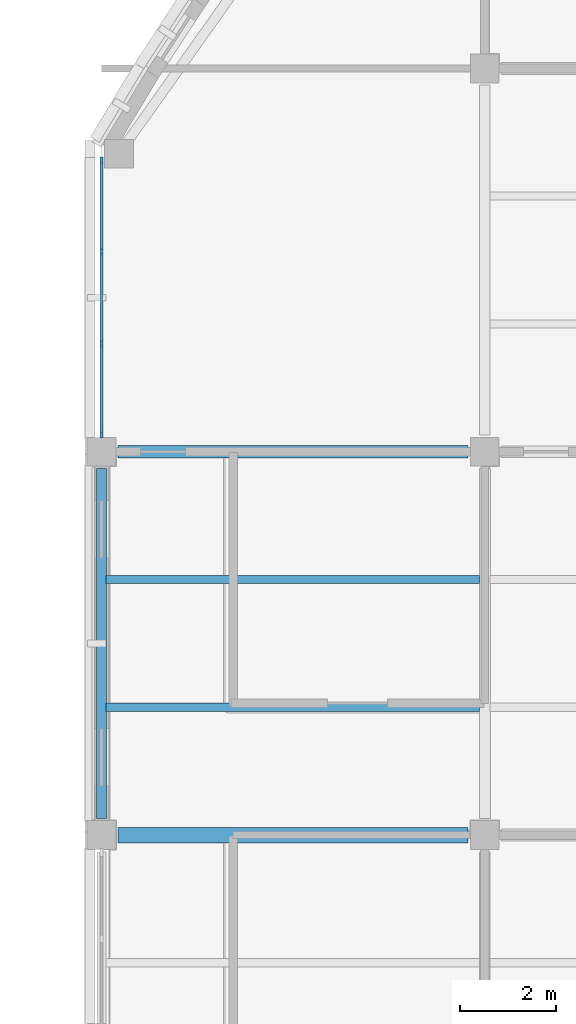
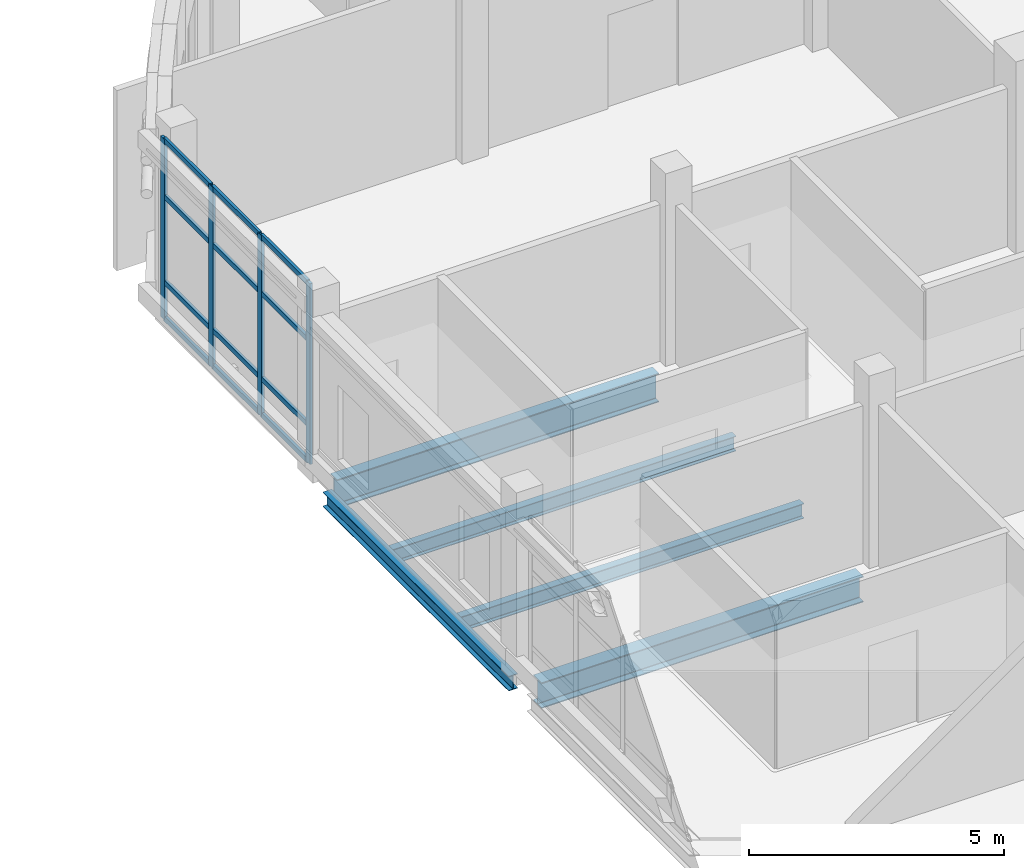
# One storey, part 33 of 121: 16 members, 5 beams, 1 element without a shape of its own.
"""IFC4 building model written with IfcOpenShell, lengths in metres."""

from ifc_helpers import new_model, si_unit, derived_unit, direction, frame, origin, origin_2d, place, context, subcontext, project, spatial, rectangle, i_section, extrude, material, layer, layer_set, material_profile, profile_set, type_object, element, aggregate, save


model = new_model("IFC4")

# Units and contexts
model_context = context("Model", 3, precision=1e-05, world=origin(), true_north=direction((0.0, 1.0)))
body_context = subcontext(model_context, "Body", "Model", "MODEL_VIEW")
ifc_project = project(units=[si_unit("LENGTHUNIT", "METRE"), si_unit("AREAUNIT", "SQUARE_METRE"), si_unit("VOLUMEUNIT", "CUBIC_METRE"), si_unit("PLANEANGLEUNIT", "RADIAN"), si_unit("MASSUNIT", "GRAM", prefix="KILO"), derived_unit("THERMALTRANSMITTANCEUNIT", [(si_unit("MASSUNIT", "GRAM", prefix="KILO"), 1), (si_unit("TIMEUNIT", "SECOND"), -3), (si_unit("THERMODYNAMICTEMPERATUREUNIT", "KELVIN"), -1)])], contexts=[model_context])

# Site, building, storey
site_placement = place(None, origin())
site = spatial("IfcSite", under=ifc_project, at=site_placement, CompositionType="ELEMENT")
building_placement = place(site_placement, origin())
building = spatial("IfcBuilding", under=site, at=building_placement, Name="Veyamyaing Civic Hall", CompositionType="ELEMENT")
storey_placement = place(building_placement, frame((0.0, 0.0, 5.280029296875)))
storey = spatial("IfcBuildingStorey", under=building, at=storey_placement, Name="L01", CompositionType="ELEMENT", Elevation=5.280029296875)

# Beams
ifc_material_1 = material(Name="Steel ASTM A992", Category="steel")
ifc_material_profile_1 = material_profile(ifc_material_1, i_section(OverallWidth=0.256103515625, OverallDepth=0.693115234375, WebThickness=0.014404296875, FlangeThickness=0.023681640625, FilletRadius=0.013916015625, at=origin_2d()), Name="W690X170")
ifc_profile_set_1 = profile_set([ifc_material_profile_1], Name="Steel ASTM A992")
beam_type_1 = type_object("IfcBeamType", Name="B-04", PredefinedType="BEAM", material=ifc_profile_set_1)
beam_1_placement = place(storey_placement, frame((56.35009765625, 72.0, -0.591552734375), z_axis=(1.0, 0.0, 0.0), x_axis=(0.0, 1.0, 0.0)))
element("IfcBeam", 1, at=beam_1_placement, inside=storey, type_object=beam_type_1, Name="Girder B-04 L01 Grid K 8-9", PredefinedType="BEAM", context=body_context, shape_type="SweptSolid", body=[
    extrude(i_section(OverallWidth=0.256103515625, OverallDepth=0.693115234375, WebThickness=0.014404296875, FlangeThickness=0.023681640625, FilletRadius=0.013916015625, at=origin_2d()), origin(), (0.0, 0.0, 1.0), 7.2998046875),
])
ifc_material_profile_2 = material_profile(ifc_material_1, i_section(OverallWidth=0.2041015625, OverallDepth=0.35009765625, WebThickness=0.0078125, FlangeThickness=0.01513671875, FilletRadius=0.010009765625, at=origin_2d()), Name="W360X72")
ifc_profile_set_2 = profile_set([ifc_material_profile_2], Name="Steel ASTM A992")
beam_type_2 = type_object("IfcBeamType", Name="B-11", PredefinedType="SPANDREL", material=ifc_profile_set_2)
beam_2_placement = place(storey_placement, frame((56.0, 64.35009765625, -0.419921875), z_axis=(0.0, 1.0, 0.0), x_axis=(-1.0, 0.0, 0.0)))
element("IfcBeam", 2, at=beam_2_placement, inside=storey, type_object=beam_type_2, Name="Girder B-11 L01 Grid 8 J-K", PredefinedType="SPANDREL", context=body_context, shape_type="SweptSolid", body=[
    extrude(i_section(OverallWidth=0.2041015625, OverallDepth=0.35009765625, WebThickness=0.0078125, FlangeThickness=0.01513671875, FilletRadius=0.010009765625, at=origin_2d()), origin(), (0.0, 0.0, 1.0), 7.2998046875),
])
ifc_material_profile_3 = material_profile(ifc_material_1, i_section(OverallWidth=0.324951171875, OverallDepth=0.615966796875, WebThickness=0.013916015625, FlangeThickness=0.021484375, FilletRadius=0.013916015625, at=origin_2d()), Name="W610X174")
ifc_profile_set_3 = profile_set([ifc_material_profile_3], Name="Steel ASTM A992")
beam_type_3 = type_object("IfcBeamType", Name="B-15", PredefinedType="BEAM", material=ifc_profile_set_3)
beam_3_placement = place(storey_placement, frame((56.35009765625, 64.0, -0.552978515625), z_axis=(1.0, 0.0, 0.0), x_axis=(0.0, 1.0, 0.0)))
element("IfcBeam", 3, at=beam_3_placement, inside=storey, type_object=beam_type_3, Name="Girder B-15 L01 Grid J 8-9", PredefinedType="BEAM", context=body_context, shape_type="SweptSolid", body=[
    extrude(i_section(OverallWidth=0.324951171875, OverallDepth=0.615966796875, WebThickness=0.013916015625, FlangeThickness=0.021484375, FilletRadius=0.013916015625, at=origin_2d()), origin(), (0.0, 0.0, 1.0), 7.2998046875),
])

# Curtain wall, members
ifc_material_2 = material(Name="Anodised aluminium 6063-T6", Category="aluminium")
ifc_layer = layer(ifc_material_2, 0.159912109375, Name="Anodised aluminium 6063-T6")
ifc_layer_set = layer_set([ifc_layer], Name="Anodised aluminium 6063-T6")
curtain_wall_type = type_object("IfcCurtainWallType", Name="CW-02", PredefinedType="NOTDEFINED", material=ifc_layer_set)
curtain_wall_placement = place(storey_placement, origin())
curtain_wall = element("IfcCurtainWall", 4, at=curtain_wall_placement, inside=storey, type_object=curtain_wall_type, Name="Unitized curtain wall CW-02 L01 W 8.10", PredefinedType="NOTDEFINED")
ifc_material_profile_4 = material_profile(ifc_material_2, rectangle(XDim=0.06494140625, YDim=0.159912109375, at=origin_2d()), Name="ALU-MUL-65X160")
ifc_profile_set_4 = profile_set([ifc_material_profile_4], Name="Anodised aluminium 6063-T6")
member_type_1 = type_object("IfcMemberType", Name="CWM-01", PredefinedType="MULLION", material=ifc_profile_set_4)
member_1_placement = place(storey_placement, frame((56.0, 72.362548828125, 0.0), z_axis=(0.0, 0.0, 1.0), x_axis=(-1.0, 0.0, 0.0)))
member_1 = element("IfcMember", 5, at=member_1_placement, type_object=member_type_1, Name="CW-02 mullion 1", PredefinedType="MULLION", context=body_context, shape_type="SweptSolid", body=[
    extrude(rectangle(XDim=0.06494140625, YDim=0.159912109375, at=origin_2d()), origin(), (0.0, 0.0, 1.0), 4.3349609375),
])
member_2_placement = place(storey_placement, frame((56.0, 74.253662109375, 0.0), z_axis=(0.0, 0.0, 1.0), x_axis=(-1.0, 0.0, 0.0)))
member_2 = element("IfcMember", 6, at=member_2_placement, type_object=member_type_1, Name="CW-02 mullion 2", PredefinedType="MULLION", context=body_context, shape_type="SweptSolid", body=[
    extrude(rectangle(XDim=0.06494140625, YDim=0.159912109375, at=origin_2d()), origin(), (0.0, 0.0, 1.0), 4.3349609375),
])
member_3_placement = place(storey_placement, frame((56.0, 76.17724609375, 0.0), z_axis=(0.0, 0.0, 1.0), x_axis=(-1.0, 0.0, 0.0)))
member_3 = element("IfcMember", 7, at=member_3_placement, type_object=member_type_1, Name="CW-02 mullion 3", PredefinedType="MULLION", context=body_context, shape_type="SweptSolid", body=[
    extrude(rectangle(XDim=0.06494140625, YDim=0.159912109375, at=origin_2d()), origin(), (0.0, 0.0, 1.0), 4.3349609375),
])
member_4_placement = place(storey_placement, frame((56.0, 78.068359375, 0.0), z_axis=(0.0, 0.0, 1.0), x_axis=(-1.0, 0.0, 0.0)))
member_4 = element("IfcMember", 8, at=member_4_placement, type_object=member_type_1, Name="CW-02 mullion 4", PredefinedType="MULLION", context=body_context, shape_type="SweptSolid", body=[
    extrude(rectangle(XDim=0.06494140625, YDim=0.159912109375, at=origin_2d()), origin(), (0.0, 0.0, 1.0), 4.3349609375),
])
ifc_material_profile_5 = material_profile(ifc_material_2, rectangle(XDim=0.06494140625, YDim=0.1201171875, at=origin_2d()), Name="ALU-TRN-65X120")
ifc_profile_set_5 = profile_set([ifc_material_profile_5], Name="Anodised aluminium 6063-T6")
member_type_2 = type_object("IfcMemberType", Name="CWT-01", PredefinedType="USERDEFINED", material=ifc_profile_set_5)
member_5_placement = place(storey_placement, frame((56.0, 72.39501953125, 0.032470703125), z_axis=(0.0, 1.0, 0.0), x_axis=(-1.0, 0.0, 0.0)))
member_5 = element("IfcMember", 9, at=member_5_placement, type_object=member_type_2, Name="CW-02 transom 1.1", ObjectType="TRANSOM", PredefinedType="USERDEFINED", context=body_context, shape_type="SweptSolid", body=[
    extrude(rectangle(XDim=0.06494140625, YDim=0.1201171875, at=origin_2d()), origin(), (0.0, 0.0, 1.0), 1.826171875),
])
member_6_placement = place(storey_placement, frame((56.0, 72.39501953125, 0.89990234375), z_axis=(0.0, 1.0, 0.0), x_axis=(-1.0, 0.0, 0.0)))
member_6 = element("IfcMember", 10, at=member_6_placement, type_object=member_type_2, Name="CW-02 transom 1.2", ObjectType="TRANSOM", PredefinedType="USERDEFINED", context=body_context, shape_type="SweptSolid", body=[
    extrude(rectangle(XDim=0.06494140625, YDim=0.1201171875, at=origin_2d()), origin(), (0.0, 0.0, 1.0), 1.826171875),
])
member_7_placement = place(storey_placement, frame((56.0, 72.39501953125, 2.94775390625), z_axis=(0.0, 1.0, 0.0), x_axis=(-1.0, 0.0, 0.0)))
member_7 = element("IfcMember", 11, at=member_7_placement, type_object=member_type_2, Name="CW-02 transom 1.3", ObjectType="TRANSOM", PredefinedType="USERDEFINED", context=body_context, shape_type="SweptSolid", body=[
    extrude(rectangle(XDim=0.06494140625, YDim=0.1201171875, at=origin_2d()), origin(), (0.0, 0.0, 1.0), 1.826171875),
])
member_8_placement = place(storey_placement, frame((56.0, 72.39501953125, 4.302490234375), z_axis=(0.0, 1.0, 0.0), x_axis=(-1.0, 0.0, 0.0)))
member_8 = element("IfcMember", 12, at=member_8_placement, type_object=member_type_2, Name="CW-02 transom 1.4", ObjectType="TRANSOM", PredefinedType="USERDEFINED", context=body_context, shape_type="SweptSolid", body=[
    extrude(rectangle(XDim=0.06494140625, YDim=0.1201171875, at=origin_2d()), origin(), (0.0, 0.0, 1.0), 1.826171875),
])
member_9_placement = place(storey_placement, frame((56.0, 74.2861328125, 0.032470703125), z_axis=(0.0, 1.0, 0.0), x_axis=(-1.0, 0.0, 0.0)))
member_9 = element("IfcMember", 13, at=member_9_placement, type_object=member_type_2, Name="CW-02 transom 2.1", ObjectType="TRANSOM", PredefinedType="USERDEFINED", context=body_context, shape_type="SweptSolid", body=[
    extrude(rectangle(XDim=0.06494140625, YDim=0.1201171875, at=origin_2d()), origin(), (0.0, 0.0, 1.0), 1.858642578125),
])
member_10_placement = place(storey_placement, frame((56.0, 74.2861328125, 0.89990234375), z_axis=(0.0, 1.0, 0.0), x_axis=(-1.0, 0.0, 0.0)))
member_10 = element("IfcMember", 14, at=member_10_placement, type_object=member_type_2, Name="CW-02 transom 2.2", ObjectType="TRANSOM", PredefinedType="USERDEFINED", context=body_context, shape_type="SweptSolid", body=[
    extrude(rectangle(XDim=0.06494140625, YDim=0.1201171875, at=origin_2d()), origin(), (0.0, 0.0, 1.0), 1.858642578125),
])
member_11_placement = place(storey_placement, frame((56.0, 74.2861328125, 2.94775390625), z_axis=(0.0, 1.0, 0.0), x_axis=(-1.0, 0.0, 0.0)))
member_11 = element("IfcMember", 15, at=member_11_placement, type_object=member_type_2, Name="CW-02 transom 2.3", ObjectType="TRANSOM", PredefinedType="USERDEFINED", context=body_context, shape_type="SweptSolid", body=[
    extrude(rectangle(XDim=0.06494140625, YDim=0.1201171875, at=origin_2d()), origin(), (0.0, 0.0, 1.0), 1.858642578125),
])
member_12_placement = place(storey_placement, frame((56.0, 74.2861328125, 4.302490234375), z_axis=(0.0, 1.0, 0.0), x_axis=(-1.0, 0.0, 0.0)))
member_12 = element("IfcMember", 16, at=member_12_placement, type_object=member_type_2, Name="CW-02 transom 2.4", ObjectType="TRANSOM", PredefinedType="USERDEFINED", context=body_context, shape_type="SweptSolid", body=[
    extrude(rectangle(XDim=0.06494140625, YDim=0.1201171875, at=origin_2d()), origin(), (0.0, 0.0, 1.0), 1.858642578125),
])
member_13_placement = place(storey_placement, frame((56.0, 76.209716796875, 0.032470703125), z_axis=(0.0, 1.0, 0.0), x_axis=(-1.0, 0.0, 0.0)))
member_13 = element("IfcMember", 17, at=member_13_placement, type_object=member_type_2, Name="CW-02 transom 3.1", ObjectType="TRANSOM", PredefinedType="USERDEFINED", context=body_context, shape_type="SweptSolid", body=[
    extrude(rectangle(XDim=0.06494140625, YDim=0.1201171875, at=origin_2d()), origin(), (0.0, 0.0, 1.0), 1.826171875),
])
member_14_placement = place(storey_placement, frame((56.0, 76.209716796875, 0.89990234375), z_axis=(0.0, 1.0, 0.0), x_axis=(-1.0, 0.0, 0.0)))
member_14 = element("IfcMember", 18, at=member_14_placement, type_object=member_type_2, Name="CW-02 transom 3.2", ObjectType="TRANSOM", PredefinedType="USERDEFINED", context=body_context, shape_type="SweptSolid", body=[
    extrude(rectangle(XDim=0.06494140625, YDim=0.1201171875, at=origin_2d()), origin(), (0.0, 0.0, 1.0), 1.826171875),
])
member_15_placement = place(storey_placement, frame((56.0, 76.209716796875, 2.94775390625), z_axis=(0.0, 1.0, 0.0), x_axis=(-1.0, 0.0, 0.0)))
member_15 = element("IfcMember", 19, at=member_15_placement, type_object=member_type_2, Name="CW-02 transom 3.3", ObjectType="TRANSOM", PredefinedType="USERDEFINED", context=body_context, shape_type="SweptSolid", body=[
    extrude(rectangle(XDim=0.06494140625, YDim=0.1201171875, at=origin_2d()), origin(), (0.0, 0.0, 1.0), 1.826171875),
])
member_16_placement = place(storey_placement, frame((56.0, 76.209716796875, 4.302490234375), z_axis=(0.0, 1.0, 0.0), x_axis=(-1.0, 0.0, 0.0)))
member_16 = element("IfcMember", 20, at=member_16_placement, type_object=member_type_2, Name="CW-02 transom 3.4", ObjectType="TRANSOM", PredefinedType="USERDEFINED", context=body_context, shape_type="SweptSolid", body=[
    extrude(rectangle(XDim=0.06494140625, YDim=0.1201171875, at=origin_2d()), origin(), (0.0, 0.0, 1.0), 1.826171875),
])
aggregate(curtain_wall, [member_1, member_2, member_3, member_4, member_5, member_6, member_7, member_8, member_9, member_10, member_11, member_12, member_13, member_14, member_15, member_16])

# Beams
ifc_material_profile_6 = material_profile(ifc_material_1, i_section(OverallWidth=0.172119140625, OverallDepth=0.35791015625, WebThickness=0.0078125, FlangeThickness=0.01318359375, FilletRadius=0.010009765625, at=origin_2d()), Name="W360X57")
ifc_profile_set_6 = profile_set([ifc_material_profile_6], Name="Steel ASTM A992")
beam_type_4 = type_object("IfcBeamType", Name="J-02", PredefinedType="JOIST", material=ifc_profile_set_6)
for number, where, z_axis, x_axis, name in (
    (21, (56.10009765625, 66.666748046875, -0.424072265625), (1.0, 0.0, 0.0), (0.0, 1.0, 0.0), "Composite floor joist J-02 L01 8.9.1"),
    (22, (56.10009765625, 69.333251953125, -0.424072265625), (1.0, 0.0, 0.0), (0.0, 1.0, 0.0), "Composite floor joist J-02 L01 8.9.2"),
):
    element("IfcBeam", number, at=place(storey_placement, frame(where, z_axis=z_axis, x_axis=x_axis)), inside=storey, type_object=beam_type_4, Name=name, PredefinedType="JOIST", context=body_context, shape_type="SweptSolid", body=[
        extrude(i_section(OverallWidth=0.172119140625, OverallDepth=0.35791015625, WebThickness=0.0078125, FlangeThickness=0.01318359375, FilletRadius=0.010009765625, at=origin_2d()), origin(), (0.0, 0.0, 1.0), 7.786865234375),
    ])

save(model, "model.ifc")
